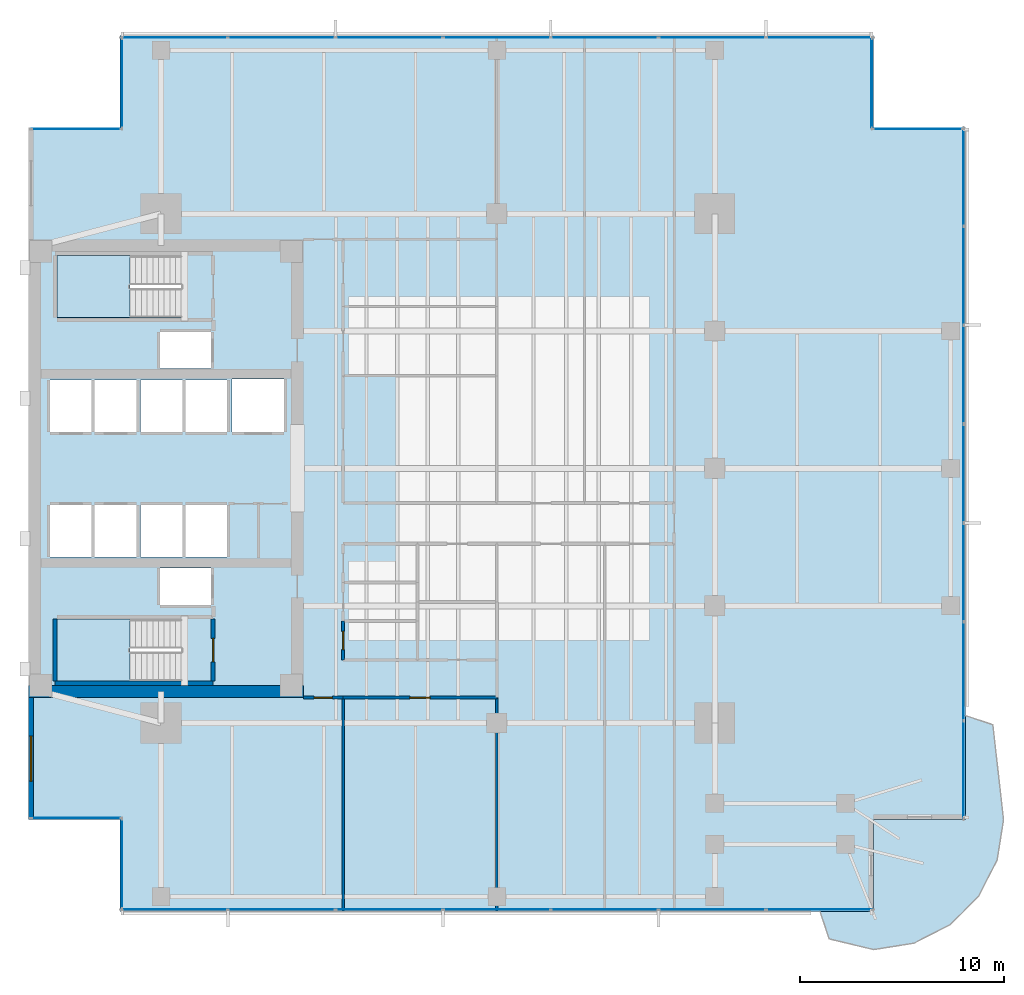
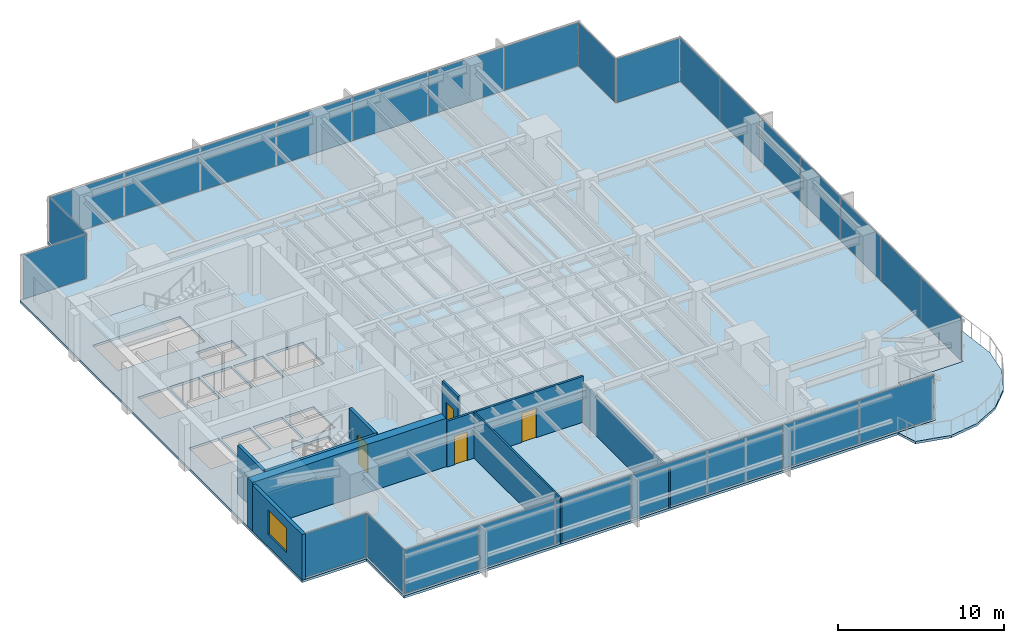
# One storey, part 7 of 14: 27 plates, 10 walls, 4 doors, 4 slabs, 1 window, 5 openings, 11 elements without a shape of their own.
"""IFC4 building model written with IfcOpenShell, lengths in metres."""

from ifc_helpers import new_model, si_unit, direction, frame, frame_2d, origin, origin_2d, place, context, subcontext, project, spatial, polyline, rectangle, outline, extrude, material, layer, layer_set, type_object, element, fill, aggregate, save


model = new_model("IFC4")

# Units and contexts
model_context = context("Model", 3, precision=1e-05, world=origin(), true_north=direction((0.0, 1.0)))
body_context = subcontext(model_context, "Body", "Model", "MODEL_VIEW")
ifc_project = project(units=[si_unit("LENGTHUNIT", "METRE"), si_unit("AREAUNIT", "SQUARE_METRE"), si_unit("VOLUMEUNIT", "CUBIC_METRE"), si_unit("PLANEANGLEUNIT", "RADIAN"), si_unit("MASSUNIT", "GRAM", prefix="KILO")], contexts=[model_context])

# Site, building, storey
site_placement = place(None, origin())
site = spatial("IfcSite", under=ifc_project, at=site_placement, CompositionType="ELEMENT")
building_placement = place(site_placement, origin())
building = spatial("IfcBuilding", under=site, at=building_placement, Name="Kinhvarn Gate Tower", CompositionType="ELEMENT")
storey_placement = place(building_placement, frame((0.0, 0.0, 134.199951171875)))
storey = spatial("IfcBuildingStorey", under=building, at=storey_placement, Name="L35", CompositionType="ELEMENT", Elevation=134.199951171875)

# Curtain wall, plates
ifc_material_1 = material(Name="Anodised aluminium AW-6063", Category="aluminium")
ifc_layer_1 = layer(ifc_material_1, 0.179931640625)
ifc_layer_set_1 = layer_set([ifc_layer_1], Name="Anodised aluminium AW-6063")
curtain_wall_type_1 = type_object("IfcCurtainWallType", Name="CW-SYS-3", PredefinedType="NOTDEFINED", material=ifc_layer_set_1)
curtain_wall_1_placement = place(storey_placement, origin())
curtain_wall_1 = element("IfcCurtainWall", 1, at=curtain_wall_1_placement, inside=storey, type_object=curtain_wall_type_1, Name="Curtain Wall CW3 (L35)", PredefinedType="NOTDEFINED")
ifc_material_2 = material(Name="Clear low-e double glazing", Category="glass")
ifc_layer_2 = layer(ifc_material_2, 0.031982421875)
ifc_layer_set_2 = layer_set([ifc_layer_2], Name="Clear low-e double glazing")
plate_type = type_object("IfcPlateType", Name="CW-PNL-VIS", PredefinedType="CURTAIN_PANEL", material=ifc_layer_set_2)
plate_1_placement = place(storey_placement, frame((11.6591796875, 3.590087890625, 0.070068359375), z_axis=(0.0, 0.0, 1.0), x_axis=(1.0, 0.0, 0.0)))
plate_1 = element("IfcPlate", 2, at=plate_1_placement, type_object=plate_type, Name="CW3 panel 1.1", PredefinedType="CURTAIN_PANEL", context=body_context, shape_type="SweptSolid", body=[
    extrude(rectangle(XDim=5.188232421875, YDim=0.031982421875, at=origin_2d()), origin(), (0.0, 0.0, 1.0), 3.22998046875),
])
plate_2_placement = place(storey_placement, frame((16.928466796875, 3.590087890625, 0.070068359375), z_axis=(0.0, 0.0, 1.0), x_axis=(1.0, 0.0, 0.0)))
plate_2 = element("IfcPlate", 3, at=plate_2_placement, type_object=plate_type, Name="CW3 panel 2.1", PredefinedType="CURTAIN_PANEL", context=body_context, shape_type="SweptSolid", body=[
    extrude(rectangle(XDim=5.220703125, YDim=0.031982421875, at=origin_2d()), origin(), (0.0, 0.0, 1.0), 3.22998046875),
])
plate_3_placement = place(storey_placement, frame((22.21435546875, 3.590087890625, 0.070068359375), z_axis=(0.0, 0.0, 1.0), x_axis=(1.0, 0.0, 0.0)))
plate_3 = element("IfcPlate", 4, at=plate_3_placement, type_object=plate_type, Name="CW3 panel 3.1", PredefinedType="CURTAIN_PANEL", context=body_context, shape_type="SweptSolid", body=[
    extrude(rectangle(XDim=5.220703125, YDim=0.031982421875, at=origin_2d()), origin(), (0.0, 0.0, 1.0), 3.22998046875),
])
plate_4_placement = place(storey_placement, frame((27.5, 3.590087890625, 0.070068359375), z_axis=(0.0, 0.0, 1.0), x_axis=(1.0, 0.0, 0.0)))
plate_4 = element("IfcPlate", 5, at=plate_4_placement, type_object=plate_type, Name="CW3 panel 4.1", PredefinedType="CURTAIN_PANEL", context=body_context, shape_type="SweptSolid", body=[
    extrude(rectangle(XDim=5.220703125, YDim=0.031982421875, at=origin_2d()), origin(), (0.0, 0.0, 1.0), 3.22998046875),
])
plate_5_placement = place(storey_placement, frame((32.78564453125, 3.590087890625, 0.070068359375), z_axis=(0.0, 0.0, 1.0), x_axis=(1.0, 0.0, 0.0)))
plate_5 = element("IfcPlate", 6, at=plate_5_placement, type_object=plate_type, Name="CW3 panel 5.1", PredefinedType="CURTAIN_PANEL", context=body_context, shape_type="SweptSolid", body=[
    extrude(rectangle(XDim=5.220703125, YDim=0.031982421875, at=origin_2d()), origin(), (0.0, 0.0, 1.0), 3.22998046875),
])
plate_6_placement = place(storey_placement, frame((38.071533203125, 3.590087890625, 0.070068359375), z_axis=(0.0, 0.0, 1.0), x_axis=(1.0, 0.0, 0.0)))
plate_6 = element("IfcPlate", 7, at=plate_6_placement, type_object=plate_type, Name="CW3 panel 6.1", PredefinedType="CURTAIN_PANEL", context=body_context, shape_type="SweptSolid", body=[
    extrude(rectangle(XDim=5.220703125, YDim=0.031982421875, at=origin_2d()), origin(), (0.0, 0.0, 1.0), 3.22998046875),
])
plate_7_placement = place(storey_placement, frame((43.3408203125, 3.590087890625, 0.070068359375), z_axis=(0.0, 0.0, 1.0), x_axis=(1.0, 0.0, 0.0)))
plate_7 = element("IfcPlate", 8, at=plate_7_placement, type_object=plate_type, Name="CW3 panel 7.1", PredefinedType="CURTAIN_PANEL", context=body_context, shape_type="SweptSolid", body=[
    extrude(rectangle(XDim=5.188232421875, YDim=0.031982421875, at=origin_2d()), origin(), (0.0, 0.0, 1.0), 3.22998046875),
])
aggregate(curtain_wall_1, [plate_1, plate_2, plate_3, plate_4, plate_5, plate_6, plate_7])

curtain_wall_2_placement = place(storey_placement, origin())
curtain_wall_2 = element("IfcCurtainWall", 9, at=curtain_wall_2_placement, inside=storey, type_object=curtain_wall_type_1, Name="Curtain Wall CW3 (L35)", PredefinedType="NOTDEFINED")
plate_8_placement = place(storey_placement, frame((43.3408203125, 46.409912109375, 0.070068359375), z_axis=(0.0, 0.0, 1.0), x_axis=(-1.0, 0.0, 0.0)))
plate_8 = element("IfcPlate", 10, at=plate_8_placement, type_object=plate_type, Name="CW3 panel 1.1", PredefinedType="CURTAIN_PANEL", context=body_context, shape_type="SweptSolid", body=[
    extrude(rectangle(XDim=5.188232421875, YDim=0.031982421875, at=origin_2d()), origin(), (0.0, 0.0, 1.0), 3.22998046875),
])
plate_9_placement = place(storey_placement, frame((38.071533203125, 46.409912109375, 0.070068359375), z_axis=(0.0, 0.0, 1.0), x_axis=(-1.0, 0.0, 0.0)))
plate_9 = element("IfcPlate", 11, at=plate_9_placement, type_object=plate_type, Name="CW3 panel 2.1", PredefinedType="CURTAIN_PANEL", context=body_context, shape_type="SweptSolid", body=[
    extrude(rectangle(XDim=5.220703125, YDim=0.031982421875, at=origin_2d()), origin(), (0.0, 0.0, 1.0), 3.22998046875),
])
plate_10_placement = place(storey_placement, frame((32.78564453125, 46.409912109375, 0.070068359375), z_axis=(0.0, 0.0, 1.0), x_axis=(-1.0, 0.0, 0.0)))
plate_10 = element("IfcPlate", 12, at=plate_10_placement, type_object=plate_type, Name="CW3 panel 3.1", PredefinedType="CURTAIN_PANEL", context=body_context, shape_type="SweptSolid", body=[
    extrude(rectangle(XDim=5.220703125, YDim=0.031982421875, at=origin_2d()), origin(), (0.0, 0.0, 1.0), 3.22998046875),
])
plate_11_placement = place(storey_placement, frame((27.5, 46.409912109375, 0.070068359375), z_axis=(0.0, 0.0, 1.0), x_axis=(-1.0, 0.0, 0.0)))
plate_11 = element("IfcPlate", 13, at=plate_11_placement, type_object=plate_type, Name="CW3 panel 4.1", PredefinedType="CURTAIN_PANEL", context=body_context, shape_type="SweptSolid", body=[
    extrude(rectangle(XDim=5.220703125, YDim=0.031982421875, at=origin_2d()), origin(), (0.0, 0.0, 1.0), 3.22998046875),
])
plate_12_placement = place(storey_placement, frame((22.21435546875, 46.409912109375, 0.070068359375), z_axis=(0.0, 0.0, 1.0), x_axis=(-1.0, 0.0, 0.0)))
plate_12 = element("IfcPlate", 14, at=plate_12_placement, type_object=plate_type, Name="CW3 panel 5.1", PredefinedType="CURTAIN_PANEL", context=body_context, shape_type="SweptSolid", body=[
    extrude(rectangle(XDim=5.220703125, YDim=0.031982421875, at=origin_2d()), origin(), (0.0, 0.0, 1.0), 3.22998046875),
])
plate_13_placement = place(storey_placement, frame((16.928466796875, 46.409912109375, 0.070068359375), z_axis=(0.0, 0.0, 1.0), x_axis=(-1.0, 0.0, 0.0)))
plate_13 = element("IfcPlate", 15, at=plate_13_placement, type_object=plate_type, Name="CW3 panel 6.1", PredefinedType="CURTAIN_PANEL", context=body_context, shape_type="SweptSolid", body=[
    extrude(rectangle(XDim=5.220703125, YDim=0.031982421875, at=origin_2d()), origin(), (0.0, 0.0, 1.0), 3.22998046875),
])
plate_14_placement = place(storey_placement, frame((11.6591796875, 46.409912109375, 0.070068359375), z_axis=(0.0, 0.0, 1.0), x_axis=(-1.0, 0.0, 0.0)))
plate_14 = element("IfcPlate", 16, at=plate_14_placement, type_object=plate_type, Name="CW3 panel 7.1", PredefinedType="CURTAIN_PANEL", context=body_context, shape_type="SweptSolid", body=[
    extrude(rectangle(XDim=5.188232421875, YDim=0.031982421875, at=origin_2d()), origin(), (0.0, 0.0, 1.0), 3.22998046875),
])
aggregate(curtain_wall_2, [plate_8, plate_9, plate_10, plate_11, plate_12, plate_13, plate_14])

curtain_wall_3_placement = place(storey_placement, origin())
curtain_wall_3 = element("IfcCurtainWall", 17, at=curtain_wall_3_placement, inside=storey, type_object=curtain_wall_type_1, Name="Curtain Wall CW3 (L35)", PredefinedType="NOTDEFINED")
plate_15_placement = place(storey_placement, frame((50.409912109375, 10.44482421875, 0.070068359375), z_axis=(0.0, 0.0, 1.0), x_axis=(0.0, 1.0, 0.0)))
plate_15 = element("IfcPlate", 18, at=plate_15_placement, type_object=plate_type, Name="CW3 panel 1.1", PredefinedType="CURTAIN_PANEL", context=body_context, shape_type="SweptSolid", body=[
    extrude(rectangle(XDim=4.759521484375, YDim=0.031982421875, at=origin_2d()), origin(), (0.0, 0.0, 1.0), 3.22998046875),
])
plate_16_placement = place(storey_placement, frame((50.409912109375, 15.28564453125, 0.070068359375), z_axis=(0.0, 0.0, 1.0), x_axis=(0.0, 1.0, 0.0)))
plate_16 = element("IfcPlate", 19, at=plate_16_placement, type_object=plate_type, Name="CW3 panel 2.1", PredefinedType="CURTAIN_PANEL", context=body_context, shape_type="SweptSolid", body=[
    extrude(rectangle(XDim=4.792236328125, YDim=0.031982421875, at=origin_2d()), origin(), (0.0, 0.0, 1.0), 3.22998046875),
])
plate_17_placement = place(storey_placement, frame((50.409912109375, 20.142822265625, 0.070068359375), z_axis=(0.0, 0.0, 1.0), x_axis=(0.0, 1.0, 0.0)))
plate_17 = element("IfcPlate", 20, at=plate_17_placement, type_object=plate_type, Name="CW3 panel 3.1", PredefinedType="CURTAIN_PANEL", context=body_context, shape_type="SweptSolid", body=[
    extrude(rectangle(XDim=4.792236328125, YDim=0.031982421875, at=origin_2d()), origin(), (0.0, 0.0, 1.0), 3.22998046875),
])
plate_18_placement = place(storey_placement, frame((50.409912109375, 25.0, 0.070068359375), z_axis=(0.0, 0.0, 1.0), x_axis=(0.0, 1.0, 0.0)))
plate_18 = element("IfcPlate", 21, at=plate_18_placement, type_object=plate_type, Name="CW3 panel 4.1", PredefinedType="CURTAIN_PANEL", context=body_context, shape_type="SweptSolid", body=[
    extrude(rectangle(XDim=4.792236328125, YDim=0.031982421875, at=origin_2d()), origin(), (0.0, 0.0, 1.0), 3.22998046875),
])
plate_19_placement = place(storey_placement, frame((50.409912109375, 29.857177734375, 0.070068359375), z_axis=(0.0, 0.0, 1.0), x_axis=(0.0, 1.0, 0.0)))
plate_19 = element("IfcPlate", 22, at=plate_19_placement, type_object=plate_type, Name="CW3 panel 5.1", PredefinedType="CURTAIN_PANEL", context=body_context, shape_type="SweptSolid", body=[
    extrude(rectangle(XDim=4.792236328125, YDim=0.031982421875, at=origin_2d()), origin(), (0.0, 0.0, 1.0), 3.22998046875),
])
plate_20_placement = place(storey_placement, frame((50.409912109375, 34.71435546875, 0.070068359375), z_axis=(0.0, 0.0, 1.0), x_axis=(0.0, 1.0, 0.0)))
plate_20 = element("IfcPlate", 23, at=plate_20_placement, type_object=plate_type, Name="CW3 panel 6.1", PredefinedType="CURTAIN_PANEL", context=body_context, shape_type="SweptSolid", body=[
    extrude(rectangle(XDim=4.792236328125, YDim=0.031982421875, at=origin_2d()), origin(), (0.0, 0.0, 1.0), 3.22998046875),
])
plate_21_placement = place(storey_placement, frame((50.409912109375, 39.55517578125, 0.070068359375), z_axis=(0.0, 0.0, 1.0), x_axis=(0.0, 1.0, 0.0)))
plate_21 = element("IfcPlate", 24, at=plate_21_placement, type_object=plate_type, Name="CW3 panel 7.1", PredefinedType="CURTAIN_PANEL", context=body_context, shape_type="SweptSolid", body=[
    extrude(rectangle(XDim=4.759521484375, YDim=0.031982421875, at=origin_2d()), origin(), (0.0, 0.0, 1.0), 3.22998046875),
])
aggregate(curtain_wall_3, [plate_15, plate_16, plate_17, plate_18, plate_19, plate_20, plate_21])

# Curtain wall, plate
ifc_layer_3 = layer(ifc_material_1, 0.179931640625)
ifc_layer_set_3 = layer_set([ifc_layer_3], Name="Anodised aluminium AW-6063")
curtain_wall_type_2 = type_object("IfcCurtainWallType", Name="CW-SYS-4", PredefinedType="NOTDEFINED", material=ifc_layer_set_3)
curtain_wall_4_placement = place(storey_placement, origin())
curtain_wall_4 = element("IfcCurtainWall", 25, at=curtain_wall_4_placement, inside=storey, type_object=curtain_wall_type_2, Name="Curtain Wall CW4 (L35)", PredefinedType="NOTDEFINED")
plate_22_placement = place(storey_placement, frame((6.840087890625, 8.090087890625, 0.06494140625), z_axis=(0.0, 0.0, 1.0), x_axis=(1.0, 0.0, 0.0)))
plate_22 = element("IfcPlate", 26, at=plate_22_placement, type_object=plate_type, Name="CW4 panel 1.1", PredefinedType="CURTAIN_PANEL", context=body_context, shape_type="SweptSolid", body=[
    extrude(rectangle(XDim=4.3701171875, YDim=0.031982421875, at=origin_2d()), origin(), (0.0, 0.0, 1.0), 3.239990234375),
])
aggregate(curtain_wall_4, [plate_22])

curtain_wall_5_placement = place(storey_placement, origin())
curtain_wall_5 = element("IfcCurtainWall", 27, at=curtain_wall_5_placement, inside=storey, type_object=curtain_wall_type_2, Name="Curtain Wall CW4 (L35)", PredefinedType="NOTDEFINED")
plate_23_placement = place(storey_placement, frame((9.090087890625, 5.840087890625, 0.06494140625), z_axis=(0.0, 0.0, 1.0), x_axis=(0.0, -1.0, 0.0)))
plate_23 = element("IfcPlate", 28, at=plate_23_placement, type_object=plate_type, Name="CW4 panel 1.1", PredefinedType="CURTAIN_PANEL", context=body_context, shape_type="SweptSolid", body=[
    extrude(rectangle(XDim=4.3701171875, YDim=0.031982421875, at=origin_2d()), origin(), (0.0, 0.0, 1.0), 3.239990234375),
])
aggregate(curtain_wall_5, [plate_23])

curtain_wall_6_placement = place(storey_placement, origin())
curtain_wall_6 = element("IfcCurtainWall", 29, at=curtain_wall_6_placement, inside=storey, type_object=curtain_wall_type_2, Name="Curtain Wall CW4 (L35)", PredefinedType="NOTDEFINED")
plate_24_placement = place(storey_placement, frame((48.159912109375, 41.909912109375, 0.06494140625), z_axis=(0.0, 0.0, 1.0), x_axis=(-1.0, 0.0, 0.0)))
plate_24 = element("IfcPlate", 30, at=plate_24_placement, type_object=plate_type, Name="CW4 panel 1.1", PredefinedType="CURTAIN_PANEL", context=body_context, shape_type="SweptSolid", body=[
    extrude(rectangle(XDim=4.3701171875, YDim=0.031982421875, at=origin_2d()), origin(), (0.0, 0.0, 1.0), 3.239990234375),
])
aggregate(curtain_wall_6, [plate_24])

curtain_wall_7_placement = place(storey_placement, origin())
curtain_wall_7 = element("IfcCurtainWall", 31, at=curtain_wall_7_placement, inside=storey, type_object=curtain_wall_type_2, Name="Curtain Wall CW4 (L35)", PredefinedType="NOTDEFINED")
plate_25_placement = place(storey_placement, frame((45.909912109375, 44.159912109375, 0.06494140625), z_axis=(0.0, 0.0, 1.0), x_axis=(0.0, 1.0, 0.0)))
plate_25 = element("IfcPlate", 32, at=plate_25_placement, type_object=plate_type, Name="CW4 panel 1.1", PredefinedType="CURTAIN_PANEL", context=body_context, shape_type="SweptSolid", body=[
    extrude(rectangle(XDim=4.3701171875, YDim=0.031982421875, at=origin_2d()), origin(), (0.0, 0.0, 1.0), 3.239990234375),
])
aggregate(curtain_wall_7, [plate_25])

curtain_wall_8_placement = place(storey_placement, origin())
curtain_wall_8 = element("IfcCurtainWall", 33, at=curtain_wall_8_placement, inside=storey, type_object=curtain_wall_type_2, Name="Curtain Wall CW4 (L35)", PredefinedType="NOTDEFINED")
plate_26_placement = place(storey_placement, frame((9.090087890625, 44.159912109375, 0.06494140625), z_axis=(0.0, 0.0, 1.0), x_axis=(0.0, -1.0, 0.0)))
plate_26 = element("IfcPlate", 34, at=plate_26_placement, type_object=plate_type, Name="CW4 panel 1.1", PredefinedType="CURTAIN_PANEL", context=body_context, shape_type="SweptSolid", body=[
    extrude(rectangle(XDim=4.3701171875, YDim=0.031982421875, at=origin_2d()), origin(), (0.0, 0.0, 1.0), 3.239990234375),
])
aggregate(curtain_wall_8, [plate_26])

curtain_wall_9_placement = place(storey_placement, origin())
curtain_wall_9 = element("IfcCurtainWall", 35, at=curtain_wall_9_placement, inside=storey, type_object=curtain_wall_type_2, Name="Curtain Wall CW4 (L35)", PredefinedType="NOTDEFINED")
plate_27_placement = place(storey_placement, frame((6.840087890625, 41.909912109375, 0.06494140625), z_axis=(0.0, 0.0, 1.0), x_axis=(-1.0, 0.0, 0.0)))
plate_27 = element("IfcPlate", 36, at=plate_27_placement, type_object=plate_type, Name="CW4 panel 1.1", PredefinedType="CURTAIN_PANEL", context=body_context, shape_type="SweptSolid", body=[
    extrude(rectangle(XDim=4.3701171875, YDim=0.031982421875, at=origin_2d()), origin(), (0.0, 0.0, 1.0), 3.239990234375),
])
aggregate(curtain_wall_9, [plate_27])

# Slabs
ifc_material_3 = material(Name="Precast white architectural concrete C40/50", Category="concrete")
ifc_layer_4 = layer(ifc_material_3, 0.179931640625)
ifc_layer_set_4 = layer_set([ifc_layer_4], Name="Precast white architectural concrete C40/50")
slab_type_1 = type_object("IfcSlabType", Name="SLB-BAL-180", PredefinedType="FLOOR", material=ifc_layer_set_4)
slab_1_placement = place(storey_placement, frame((0.0, 0.0, -0.179931640625)))
element("IfcSlab", 37, at=slab_1_placement, inside=storey, type_object=slab_type_1, Name="S-Carve Curved Terrace Balcony Slab L35 (SE)", PredefinedType="FLOOR", context=body_context, shape_type="SweptSolid", body=[
    extrude(outline(polyline([(43.364013671875, 3.5), (43.81396484375, 2.148681640625), (46.0, 1.623046875), (47.970703125, 1.93505859375), (49.748291015625, 2.8408203125), (51.1591796875, 4.251708984375), (52.06494140625, 6.029296875), (52.376953125, 8.0), (51.851318359375, 12.6640625), (50.5, 13.114013671875), (50.5, 8.0), (46.0, 8.0), (46.0, 3.5), (43.364013671875, 3.5)])), origin(), (0.0, 0.0, 1.0), 0.179931640625),
])
ifc_material_4 = material(Name="Concrete C40/50", Category="concrete")
ifc_layer_5 = layer(ifc_material_4, 0.179931640625)
ifc_layer_set_5 = layer_set([ifc_layer_5], Name="Concrete C40/50")
slab_type_2 = type_object("IfcSlabType", Name="SLB-FLR-180", PredefinedType="FLOOR", material=ifc_layer_set_5)
slab_2_placement = place(storey_placement, frame((0.0, 0.0, -0.179931640625)))
element("IfcSlab", 38, at=slab_2_placement, inside=storey, type_object=slab_type_2, Name="Suspended Floor Slab L35", PredefinedType="FLOOR", context=body_context, shape_type="SweptSolid", body=[
    extrude(outline(polyline([(9.0, 3.5), (46.0, 3.5), (46.0, 8.0), (50.5, 8.0), (50.5, 42.0), (46.0, 42.0), (46.0, 46.5), (9.0, 46.5), (9.0, 42.0), (4.5, 42.0), (4.5, 8.0), (9.0, 8.0), (9.0, 3.5)]), holes=[polyline([(5.89990234375, 14.800048828125), (12.0, 14.800048828125), (12.0, 17.85009765625), (5.89990234375, 17.85009765625), (5.89990234375, 14.800048828125)]), polyline([(5.89990234375, 32.64990234375), (12.0, 32.64990234375), (12.0, 35.699951171875), (5.89990234375, 35.699951171875), (5.89990234375, 32.64990234375)]), polyline([(5.550048828125, 20.89990234375), (7.60009765625, 20.89990234375), (7.60009765625, 23.449951171875), (5.550048828125, 23.449951171875), (5.550048828125, 20.89990234375)]), polyline([(7.75, 20.89990234375), (9.800048828125, 20.89990234375), (9.800048828125, 23.449951171875), (7.75, 23.449951171875), (7.75, 20.89990234375)]), polyline([(5.550048828125, 27.050048828125), (7.60009765625, 27.050048828125), (7.60009765625, 29.60009765625), (5.550048828125, 29.60009765625), (5.550048828125, 27.050048828125)]), polyline([(7.75, 27.050048828125), (9.800048828125, 27.050048828125), (9.800048828125, 29.60009765625), (7.75, 29.60009765625), (7.75, 27.050048828125)]), polyline([(10.0, 20.89990234375), (12.050048828125, 20.89990234375), (12.050048828125, 23.449951171875), (10.0, 23.449951171875), (10.0, 20.89990234375)]), polyline([(12.199951171875, 20.89990234375), (14.25, 20.89990234375), (14.25, 23.449951171875), (12.199951171875, 23.449951171875), (12.199951171875, 20.89990234375)]), polyline([(10.0, 27.050048828125), (12.050048828125, 27.050048828125), (12.050048828125, 29.60009765625), (10.0, 29.60009765625), (10.0, 27.050048828125)]), polyline([(12.199951171875, 27.050048828125), (14.25, 27.050048828125), (14.25, 29.60009765625), (12.199951171875, 29.60009765625), (12.199951171875, 27.050048828125)]), polyline([(14.5, 27.050048828125), (17.050048828125, 27.050048828125), (17.050048828125, 29.64990234375), (14.5, 29.64990234375), (14.5, 27.050048828125)]), polyline([(10.949951171875, 18.550048828125), (13.449951171875, 18.550048828125), (13.449951171875, 20.35009765625), (10.949951171875, 20.35009765625), (10.949951171875, 18.550048828125)]), polyline([(10.949951171875, 30.14990234375), (13.449951171875, 30.14990234375), (13.449951171875, 31.949951171875), (10.949951171875, 31.949951171875), (10.949951171875, 30.14990234375)])]), origin(), (0.0, 0.0, 1.0), 0.179931640625),
])

# Stair, slab
stair_type = type_object("IfcStairType", Name="STR-DLG-178", PredefinedType="HALF_TURN_STAIR", material=ifc_material_4)
stair_1_placement = place(storey_placement, origin())
stair_1 = element("IfcStair", 39, at=stair_1_placement, inside=storey, type_object=stair_type, Name="L35 Core Smokeproof Exit Stair ST1", PredefinedType="HALF_TURN_STAIR")
ifc_layer_6 = layer(ifc_material_4, 0.199951171875)
ifc_layer_set_6 = layer_set([ifc_layer_6], Name="Concrete C40/50")
slab_type_3 = type_object("IfcSlabType", Name="SLB-ST-LND", PredefinedType="LANDING", material=ifc_layer_set_6)
slab_3_placement = place(storey_placement, frame((0.0, 0.0, 1.574951171875)))
slab_3 = element("IfcSlab", 40, at=slab_3_placement, type_object=slab_type_3, Name="ST1 landing 1", PredefinedType="LANDING", context=body_context, shape_type="SweptSolid", body=[
    extrude(outline(polyline([(9.47998046875, 17.85009765625), (5.89990234375, 17.85009765625), (5.89990234375, 14.800048828125), (9.47998046875, 14.800048828125), (9.47998046875, 17.85009765625)])), origin(), (0.0, 0.0, 1.0), 0.2001953125),
])
aggregate(stair_1, [slab_3])

stair_2_placement = place(storey_placement, origin())
stair_2 = element("IfcStair", 41, at=stair_2_placement, inside=storey, type_object=stair_type, Name="L35 Core Smokeproof Exit Stair ST2", PredefinedType="HALF_TURN_STAIR")
slab_4_placement = place(storey_placement, frame((0.0, 0.0, 1.574951171875)))
slab_4 = element("IfcSlab", 42, at=slab_4_placement, type_object=slab_type_3, Name="ST2 landing 1", PredefinedType="LANDING", context=body_context, shape_type="SweptSolid", body=[
    extrude(outline(polyline([(9.47998046875, 35.699951171875), (5.89990234375, 35.699951171875), (5.89990234375, 32.64990234375), (9.47998046875, 32.64990234375), (9.47998046875, 35.699951171875)])), origin(), (0.0, 0.0, 1.0), 0.2001953125),
])
aggregate(stair_2, [slab_4])

# Wall
ifc_material_5 = material(Name="Concrete C60/75", Category="concrete")
ifc_layer_7 = layer(ifc_material_5, 0.60009765625)
ifc_layer_set_7 = layer_set([ifc_layer_7], Name="Concrete C60/75")
wall_type_1 = type_object("IfcWallType", Name="WL-CORE-600", PredefinedType="SHEAR", material=ifc_layer_set_7)
wall_1_placement = place(storey_placement, frame((4.5, 14.300048828125, 0.0), z_axis=(0.0, 0.0, 1.0), x_axis=(1.0, 0.0, 0.0)))
element("IfcWall", 43, at=wall_1_placement, inside=storey, type_object=wall_type_1, Name="Core South Shear Wall L35 600 mm", PredefinedType="SHEAR", context=body_context, shape_type="SweptSolid", body=[
    extrude(rectangle(XDim=13.5, YDim=0.60009765625, at=frame_2d((6.75, 0.0))), origin(), (0.0, 0.0, 1.0), 3.550048828125),
])

# Wall, opening, window
ifc_material_6 = material(Name="Fired architectural terracotta", Category="masonry")
ifc_layer_8 = layer(ifc_material_6, 0.25)
ifc_layer_set_8 = layer_set([ifc_layer_8], Name="Fired architectural terracotta")
wall_type_2 = type_object("IfcWallType", Name="WL-EXT-250", PredefinedType="SOLIDWALL", material=ifc_layer_set_8)
wall_2_placement = place(storey_placement, frame((4.625, 14.0, 0.0), z_axis=(0.0, 0.0, 1.0), x_axis=(0.0, -1.0, 0.0)))
wall_2 = element("IfcWall", 44, at=wall_2_placement, inside=storey, type_object=wall_type_2, Name="Exterior Solidwall Wall EW-250 (L35 West-South)", PredefinedType="SOLIDWALL", context=body_context, shape_type="SweptSolid", body=[
    extrude(rectangle(XDim=6.0, YDim=0.25, at=frame_2d((3.0, 0.0))), origin(), (0.0, 0.0, 1.0), 3.3701171875),
])
opening_1_placement = place(wall_2_placement, frame((1.89990234375, 0.0, 0.89990234375)))
opening_1 = element("IfcOpeningElement", 45, at=opening_1_placement, cuts=wall_2, Name="Opening WN-01", PredefinedType="OPENING", context=body_context, shape_type="SweptSolid", body=[
    extrude(rectangle(XDim=2.199951171875, YDim=1.800048828125, at=frame_2d((1.10009765625, 0.89990234375))), frame((0.0, 0.135009765625, 0.0), z_axis=(0.0, -1.0, 0.0), x_axis=(1.0, 0.0, 0.0)), (0.0, 0.0, 1.0), 0.27001953125),
])
window_type = type_object("IfcWindowType", Name="WIN-RIB-2200", PartitioningType="SINGLE_PANEL", PredefinedType="WINDOW", material=ifc_material_2)
window_placement = place(opening_1_placement, origin())
window = element("IfcWindow", 46, at=window_placement, inside=storey, type_object=window_type, Name="West Flank Double-Glazed Ribbon Window 2200x1800 mm (L35)", OverallHeight=1.800048828125, OverallWidth=2.199951171875, PartitioningType="SINGLE_PANEL", PredefinedType="WINDOW", context=body_context, shape_type="SweptSolid", body=[
    extrude(rectangle(XDim=2.199951171875, YDim=1.800048828125, at=frame_2d((1.10009765625, 0.89990234375))), frame((0.0, 0.030029296875, 0.0), z_axis=(0.0, -1.0, 0.0), x_axis=(1.0, 0.0, 0.0)), (0.0, 0.0, 1.0), 0.06005859375),
])
fill(opening_1, window)

# Wall, opening, door
ifc_material_7 = material(Name="Gypsum acoustic partition board")
ifc_layer_9 = layer(ifc_material_7, 0.14990234375)
ifc_layer_set_9 = layer_set([ifc_layer_9], Name="Gypsum acoustic partition board")
wall_type_3 = type_object("IfcWallType", Name="WL-PLM-150F", PredefinedType="PLUMBINGWALL", material=ifc_layer_set_9)
wall_3_placement = place(storey_placement, frame((19.949951171875, 15.85009765625, 0.0), z_axis=(0.0, 0.0, 1.0), x_axis=(0.0, 1.0, 0.0)))
wall_3 = element("IfcWall", 47, at=wall_3_placement, inside=storey, type_object=wall_type_3, Name="Interior Partition PLW-150F (L35)", PredefinedType="PLUMBINGWALL", context=body_context, shape_type="SweptSolid", body=[
    extrude(rectangle(XDim=1.89990234375, YDim=0.14990234375, at=frame_2d((0.949951171875, 0.0))), origin(), (0.0, 0.0, 1.0), 3.3701171875),
])
opening_2_placement = place(wall_3_placement, frame((0.5, 0.0, 0.0)))
opening_2 = element("IfcOpeningElement", 48, at=opening_2_placement, cuts=wall_3, Name="Opening FD-04", PredefinedType="OPENING", context=body_context, shape_type="SweptSolid", body=[
    extrude(rectangle(XDim=0.89990234375, YDim=2.10009765625, at=frame_2d((0.449951171875, 1.050048828125))), frame((0.0, 0.0849609375, 0.0), z_axis=(0.0, -1.0, 0.0), x_axis=(1.0, 0.0, 0.0)), (0.0, 0.0, 1.0), 0.169921875),
])
door_type_1 = type_object("IfcDoorType", Name="DR-FD-900", OperationType="NOTDEFINED", PredefinedType="DOOR", material=ifc_material_1)
door_1_placement = place(opening_2_placement, origin())
door_1 = element("IfcDoor", 49, at=door_1_placement, inside=storey, type_object=door_type_1, Name="Rated Riser & Service Closet Fire Door 900x2100 mm (L35)", OperationType="SINGLE_SWING_LEFT", OverallHeight=2.10009765625, OverallWidth=0.89990234375, PredefinedType="DOOR", context=body_context, shape_type="SweptSolid", body=[
    extrude(rectangle(XDim=0.89990234375, YDim=2.10009765625, at=frame_2d((0.449951171875, 1.050048828125))), frame((0.0, 0.02490234375, 0.0), z_axis=(0.0, -1.0, 0.0), x_axis=(1.0, 0.0, 0.0)), (0.0, 0.0, 1.0), 0.050048828125),
])
fill(opening_2, door_1)

# Walls
ifc_layer_10 = layer(ifc_material_7, 0.1201171875)
ifc_layer_set_10 = layer_set([ifc_layer_10], Name="Gypsum acoustic partition board")
wall_type_4 = type_object("IfcWallType", Name="WL-PRT-120", PredefinedType="PARTITIONING", material=ifc_layer_set_10)
wall_4_placement = place(storey_placement, frame((19.949951171875, 3.510009765625, 0.0), z_axis=(0.0, 0.0, 1.0), x_axis=(0.0, 1.0, 0.0)))
element("IfcWall", 50, at=wall_4_placement, inside=storey, type_object=wall_type_4, Name="Interior Partition PW-120 (L35)", PredefinedType="PARTITIONING", context=body_context, shape_type="SweptSolid", body=[
    extrude(rectangle(XDim=10.489990234375, YDim=0.1201171875, at=frame_2d((5.2451171875, 0.0))), origin(), (0.0, 0.0, 1.0), 3.3701171875),
])
wall_5_placement = place(storey_placement, frame((27.5, 3.510009765625, 0.0), z_axis=(0.0, 0.0, 1.0), x_axis=(0.0, 1.0, 0.0)))
element("IfcWall", 51, at=wall_5_placement, inside=storey, type_object=wall_type_4, Name="Interior Partition PW-120 (L35)", PredefinedType="PARTITIONING", context=body_context, shape_type="SweptSolid", body=[
    extrude(rectangle(XDim=10.489990234375, YDim=0.1201171875, at=frame_2d((5.2451171875, 0.0))), origin(), (0.0, 0.0, 1.0), 2.8701171875),
])

# Wall, opening, door
ifc_layer_11 = layer(ifc_material_7, 0.14990234375)
ifc_layer_set_11 = layer_set([ifc_layer_11], Name="Gypsum acoustic partition board")
wall_type_5 = type_object("IfcWallType", Name="WL-PRT-150F", PredefinedType="PARTITIONING", material=ifc_layer_set_11)
wall_6_placement = place(storey_placement, frame((18.0, 14.0, 0.0), z_axis=(0.0, 0.0, 1.0), x_axis=(1.0, 0.0, 0.0)))
wall_6 = element("IfcWall", 52, at=wall_6_placement, inside=storey, type_object=wall_type_5, Name="Interior Partition PW-150F (L35)", PredefinedType="PARTITIONING", context=body_context, shape_type="SweptSolid", body=[
    extrude(rectangle(XDim=1.949951171875, YDim=0.14990234375, at=frame_2d((0.97509765625, 0.0))), origin(), (0.0, 0.0, 1.0), 3.3701171875),
])
opening_3_placement = place(wall_6_placement, frame((0.52490234375, 0.0, 0.0)))
opening_3 = element("IfcOpeningElement", 53, at=opening_3_placement, cuts=wall_6, Name="Opening ID-03", PredefinedType="OPENING", context=body_context, shape_type="SweptSolid", body=[
    extrude(rectangle(XDim=0.89990234375, YDim=2.10009765625, at=frame_2d((0.449951171875, 1.050048828125))), frame((0.0, 0.0849609375, 0.0), z_axis=(0.0, -1.0, 0.0), x_axis=(1.0, 0.0, 0.0)), (0.0, 0.0, 1.0), 0.169921875),
])
door_type_2 = type_object("IfcDoorType", Name="DR-INT-900", OperationType="NOTDEFINED", PredefinedType="DOOR", material=ifc_material_1)
door_2_placement = place(opening_3_placement, origin())
door_2 = element("IfcDoor", 54, at=door_2_placement, inside=storey, type_object=door_type_2, Name="Cellular Office & Restroom Door 900x2100 mm (L35)", OperationType="SINGLE_SWING_LEFT", OverallHeight=2.10009765625, OverallWidth=0.89990234375, PredefinedType="DOOR", context=body_context, shape_type="SweptSolid", body=[
    extrude(rectangle(XDim=0.89990234375, YDim=2.10009765625, at=frame_2d((0.449951171875, 1.050048828125))), frame((0.0, 0.02490234375, 0.0), z_axis=(0.0, -1.0, 0.0), x_axis=(1.0, 0.0, 0.0)), (0.0, 0.0, 1.0), 0.050048828125),
])
fill(opening_3, door_2)

wall_7_placement = place(storey_placement, frame((19.949951171875, 14.0, 0.0), z_axis=(0.0, 0.0, 1.0), x_axis=(1.0, 0.0, 0.0)))
wall_7 = element("IfcWall", 55, at=wall_7_placement, inside=storey, type_object=wall_type_5, Name="Interior Partition PW-150F (L35)", PredefinedType="PARTITIONING", context=body_context, shape_type="SweptSolid", body=[
    extrude(rectangle(XDim=7.550048828125, YDim=0.14990234375, at=frame_2d((3.77490234375, 0.0))), origin(), (0.0, 0.0, 1.0), 3.3701171875),
])
opening_4_placement = place(wall_7_placement, frame((3.27490234375, 0.0, 0.0)))
opening_4 = element("IfcOpeningElement", 56, at=opening_4_placement, cuts=wall_7, Name="Opening ID-02", PredefinedType="OPENING", context=body_context, shape_type="SweptSolid", body=[
    extrude(rectangle(XDim=1.0, YDim=2.14990234375, at=frame_2d((0.5, 1.074951171875))), frame((0.0, 0.0849609375, 0.0), z_axis=(0.0, -1.0, 0.0), x_axis=(1.0, 0.0, 0.0)), (0.0, 0.0, 1.0), 0.169921875),
])
door_type_3 = type_object("IfcDoorType", Name="DR-INT-1000", OperationType="NOTDEFINED", PredefinedType="DOOR", material=ifc_material_1)
door_3_placement = place(opening_4_placement, origin())
door_3 = element("IfcDoor", 57, at=door_3_placement, inside=storey, type_object=door_type_3, Name="Standard Office & Meeting Room Door 1000x2150 mm (L35)", OperationType="SINGLE_SWING_RIGHT", OverallHeight=2.14990234375, OverallWidth=1.0, PredefinedType="DOOR", context=body_context, shape_type="SweptSolid", body=[
    extrude(rectangle(XDim=1.0, YDim=2.14990234375, at=frame_2d((0.5, 1.074951171875))), frame((0.0, 0.02490234375, 0.0), z_axis=(0.0, -1.0, 0.0), x_axis=(1.0, 0.0, 0.0)), (0.0, 0.0, 1.0), 0.050048828125),
])
fill(opening_4, door_3)

# Walls
ifc_layer_12 = layer(ifc_material_4, 0.199951171875)
ifc_layer_set_12 = layer_set([ifc_layer_12], Name="Concrete C40/50")
wall_type_6 = type_object("IfcWallType", Name="WL-SHF-200", PredefinedType="SOLIDWALL", material=ifc_layer_set_12)
wall_8_placement = place(storey_placement, frame((5.800048828125, 14.699951171875, 0.0), z_axis=(0.0, 0.0, 1.0), x_axis=(1.0, 0.0, 0.0)))
element("IfcWall", 58, at=wall_8_placement, inside=storey, type_object=wall_type_6, Name="Stair ST1 South Shaft Wall (L35)", PredefinedType="SOLIDWALL", context=body_context, shape_type="SweptSolid", body=[
    extrude(rectangle(XDim=7.75, YDim=0.199951171875, at=frame_2d((3.875, 0.0))), origin(), (0.0, 0.0, 1.0), 3.550048828125),
])
wall_9_placement = place(storey_placement, frame((5.7900390625, 14.800048828125, 0.0), z_axis=(0.0, 0.0, 1.0), x_axis=(0.0, 1.0, 0.0)))
element("IfcWall", 59, at=wall_9_placement, inside=storey, type_object=wall_type_6, Name="Stair ST1 West Shaft Wall (L35)", PredefinedType="SOLIDWALL", context=body_context, shape_type="SweptSolid", body=[
    extrude(rectangle(XDim=3.050048828125, YDim=0.199951171875, at=frame_2d((1.52490234375, 0.0))), origin(), (0.0, 0.0, 1.0), 3.550048828125),
])

# Wall, opening, door
wall_10_placement = place(storey_placement, frame((13.56005859375, 14.800048828125, 0.0), z_axis=(0.0, 0.0, 1.0), x_axis=(0.0, 1.0, 0.0)))
wall_10 = element("IfcWall", 60, at=wall_10_placement, inside=storey, type_object=wall_type_6, Name="Stair ST1 East Entry Wall (L35)", PredefinedType="SOLIDWALL", context=body_context, shape_type="SweptSolid", body=[
    extrude(rectangle(XDim=3.050048828125, YDim=0.199951171875, at=frame_2d((1.52490234375, 0.0))), origin(), (0.0, 0.0, 1.0), 3.550048828125),
])
opening_5_placement = place(wall_10_placement, frame((0.949951171875, 0.0, 0.0)))
opening_5 = element("IfcOpeningElement", 61, at=opening_5_placement, cuts=wall_10, Name="Opening FD-01", PredefinedType="OPENING", context=body_context, shape_type="SweptSolid", body=[
    extrude(rectangle(XDim=1.14990234375, YDim=2.14990234375, at=frame_2d((0.574951171875, 1.074951171875))), frame((0.0, 0.10986328125, 0.0), z_axis=(0.0, -1.0, 0.0), x_axis=(1.0, 0.0, 0.0)), (0.0, 0.0, 1.0), 0.219970703125),
])
door_type_4 = type_object("IfcDoorType", Name="DR-ST-1150", OperationType="NOTDEFINED", PredefinedType="DOOR", material=ifc_material_1)
door_4_placement = place(opening_5_placement, origin())
door_4 = element("IfcDoor", 62, at=door_4_placement, inside=storey, type_object=door_type_4, Name="Exit Stair ST1 Fire Door (L35)", OperationType="SINGLE_SWING_LEFT", OverallHeight=2.14990234375, OverallWidth=1.14990234375, PredefinedType="DOOR", context=body_context, shape_type="SweptSolid", body=[
    extrude(rectangle(XDim=1.14990234375, YDim=2.14990234375, at=frame_2d((0.574951171875, 1.074951171875))), frame((0.0, 0.02490234375, 0.0), z_axis=(0.0, -1.0, 0.0), x_axis=(1.0, 0.0, 0.0)), (0.0, 0.0, 1.0), 0.050048828125),
])
fill(opening_5, door_4)

save(model, "model.ifc")
